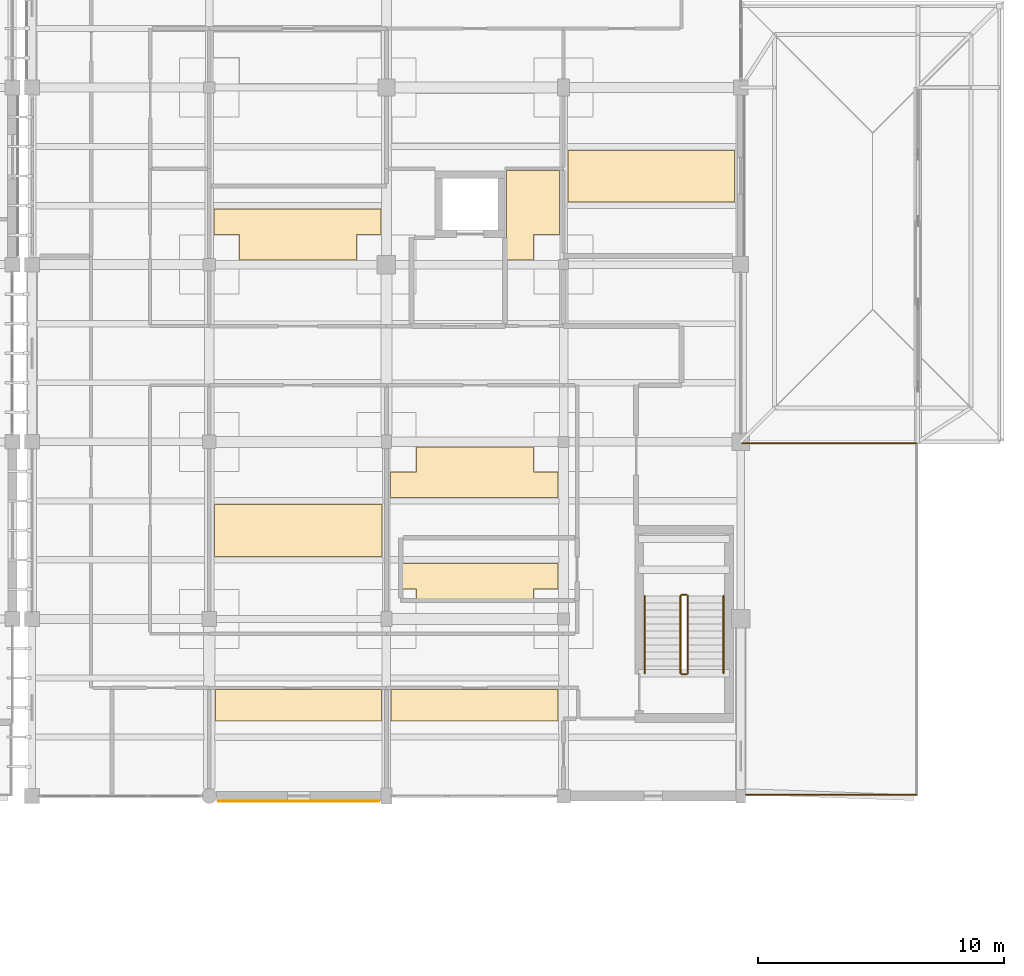
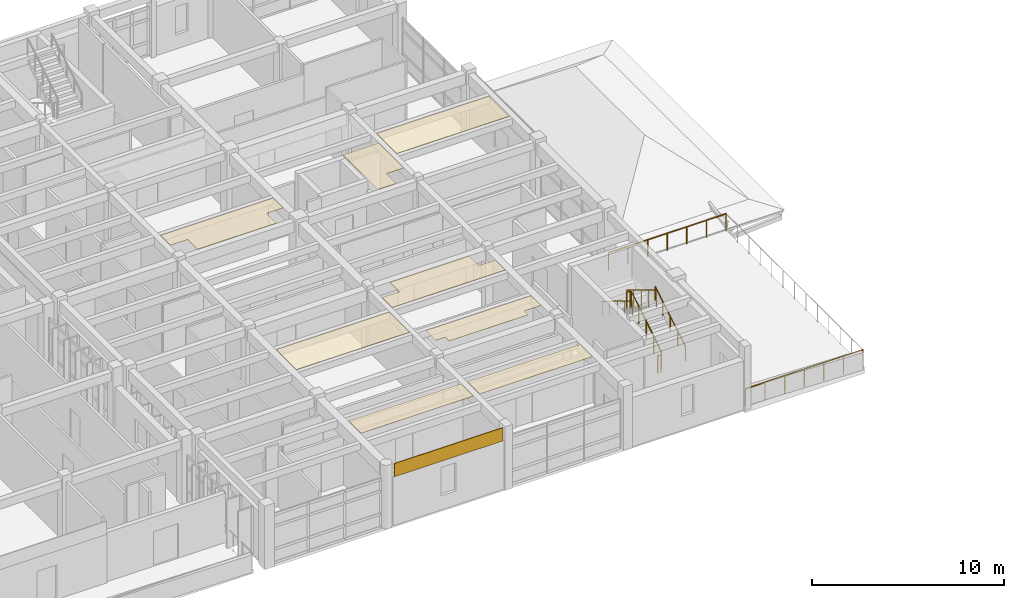
# One storey, part 50 of 55: 9 coverings, 8 railings.
"""IFC4 building model written with IfcOpenShell, lengths in metres."""

from ifc_helpers import new_model, si_unit, direction, frame, origin, origin_2d, place, context, subcontext, project, spatial, polyline, rectangle, circle, outline, extrude, material, layer, layer_set, type_object, element, save


model = new_model("IFC4")

# Units and contexts
model_context = context("Model", 3, precision=1e-05, world=origin(), true_north=direction((0.0, 1.0)))
body_context = subcontext(model_context, "Body", "Model", "MODEL_VIEW")
ifc_project = project(units=[si_unit("LENGTHUNIT", "METRE"), si_unit("AREAUNIT", "SQUARE_METRE"), si_unit("VOLUMEUNIT", "CUBIC_METRE"), si_unit("PLANEANGLEUNIT", "RADIAN"), si_unit("MASSUNIT", "GRAM", prefix="KILO")], contexts=[model_context])

# Site, building, storey
site_placement = place(None, origin())
site = spatial("IfcSite", under=ifc_project, at=site_placement, CompositionType="ELEMENT")
building_placement = place(site_placement, origin())
building = spatial("IfcBuilding", under=site, at=building_placement, Name="Steenspoor Specialist Clinic", CompositionType="ELEMENT")
storey_placement = place(building_placement, frame((0.0, 0.0, 13.199951171875)))
storey = spatial("IfcBuildingStorey", under=building, at=storey_placement, Name="L03", CompositionType="ELEMENT", Elevation=13.199951171875)

# Coverings
ifc_material_1 = material(Name="Washable acoustic mineral ceiling board", Category="gypsum")
ifc_layer_1 = layer(ifc_material_1, 0.02490234375)
ifc_layer_set_1 = layer_set([ifc_layer_1], Name="Washable acoustic mineral ceiling board")
covering_type_1 = type_object("IfcCoveringType", Name="COV-CEIL-ACOUSTIC", PredefinedType="CEILING", material=ifc_layer_set_1)
covering_1_placement = place(storey_placement, frame((0.0, 0.0, 3.925048828125)))
element("IfcCovering", 1, at=covering_1_placement, inside=storey, type_object=covering_type_1, Name="Acoustic Clinical Ceiling 178", PredefinedType="CEILING", context=body_context, shape_type="SweptSolid", body=[
    extrude(outline(polyline([(125.445068359375, 68.199951171875), (125.445068359375, 69.485107421875), (132.205078125, 69.485107421875), (132.205078125, 68.199951171875), (125.445068359375, 68.199951171875)])), origin(), (0.0, 0.0, 1.0), 0.02490234375),
])
covering_2_placement = place(storey_placement, frame((0.0, 0.0, 3.925048828125)))
element("IfcCovering", 2, at=covering_2_placement, inside=storey, type_object=covering_type_1, Name="Acoustic Clinical Ceiling 179", PredefinedType="CEILING", context=body_context, shape_type="SweptSolid", body=[
    extrude(outline(polyline([(132.594970703125, 68.199951171875), (132.594970703125, 69.485107421875), (139.3798828125, 69.485107421875), (139.3798828125, 68.199951171875), (132.594970703125, 68.199951171875)])), origin(), (0.0, 0.0, 1.0), 0.02490234375),
])
covering_3_placement = place(storey_placement, frame((0.0, 0.0, 3.925048828125)))
element("IfcCovering", 3, at=covering_3_placement, inside=storey, type_object=covering_type_1, Name="Acoustic Clinical Ceiling 180", PredefinedType="CEILING", context=body_context, shape_type="SweptSolid", body=[
    extrude(outline(polyline([(132.22998046875, 74.889892578125), (125.419921875, 74.889892578125), (125.419921875, 77.0), (132.22998046875, 77.0), (132.22998046875, 74.889892578125)])), origin(), (0.0, 0.0, 1.0), 0.02490234375),
])
covering_4_placement = place(storey_placement, frame((0.0, 0.0, 3.925048828125)))
element("IfcCovering", 4, at=covering_4_placement, inside=storey, type_object=covering_type_1, Name="Acoustic Clinical Ceiling 181", PredefinedType="CEILING", context=body_context, shape_type="SweptSolid", body=[
    extrude(outline(polyline([(133.6201171875, 73.1650390625), (133.6201171875, 73.570068359375), (133.044921875, 73.570068359375), (133.044921875, 74.60009765625), (139.3798828125, 74.60009765625), (139.3798828125, 73.570068359375), (138.3798828125, 73.570068359375), (138.3798828125, 73.1650390625), (133.6201171875, 73.1650390625)])), origin(), (0.0, 0.0, 1.0), 0.02490234375),
])
covering_5_placement = place(storey_placement, frame((0.0, 0.0, 3.925048828125)))
element("IfcCovering", 5, at=covering_5_placement, inside=storey, type_object=covering_type_1, Name="Acoustic Clinical Ceiling 182", PredefinedType="CEILING", context=body_context, shape_type="SweptSolid", body=[
    extrude(outline(polyline([(132.570068359375, 77.2900390625), (132.570068359375, 78.330078125), (133.6201171875, 78.330078125), (133.6201171875, 79.330078125), (138.3798828125, 79.330078125), (138.3798828125, 78.330078125), (139.3798828125, 78.330078125), (139.3798828125, 77.2900390625), (132.570068359375, 77.2900390625)])), origin(), (0.0, 0.0, 1.0), 0.02490234375),
])
covering_6_placement = place(storey_placement, frame((0.0, 0.0, 3.925048828125)))
element("IfcCovering", 6, at=covering_6_placement, inside=storey, type_object=covering_type_1, Name="Acoustic Clinical Ceiling 183", PredefinedType="CEILING", context=body_context, shape_type="SweptSolid", body=[
    extrude(outline(polyline([(125.39501953125, 87.969970703125), (125.39501953125, 89.010009765625), (132.179931640625, 89.010009765625), (132.179931640625, 87.969970703125), (131.179931640625, 87.969970703125), (131.179931640625, 86.945068359375), (126.419921875, 86.945068359375), (126.419921875, 87.969970703125), (125.39501953125, 87.969970703125)])), origin(), (0.0, 0.0, 1.0), 0.02490234375),
])
covering_7_placement = place(storey_placement, frame((0.0, 0.0, 3.925048828125)))
element("IfcCovering", 7, at=covering_7_placement, inside=storey, type_object=covering_type_1, Name="Acoustic Clinical Ceiling 184", PredefinedType="CEILING", context=body_context, shape_type="SweptSolid", body=[
    extrude(outline(polyline([(139.429931640625, 90.5849609375), (139.429931640625, 87.969970703125), (138.3798828125, 87.969970703125), (138.3798828125, 86.945068359375), (137.2900390625, 86.945068359375), (137.2900390625, 87.809814453125), (137.2900390625, 90.5849609375), (139.429931640625, 90.5849609375)])), origin(), (0.0, 0.0, 1.0), 0.02490234375),
])
covering_8_placement = place(storey_placement, frame((0.0, 0.0, 3.925048828125)))
element("IfcCovering", 8, at=covering_8_placement, inside=storey, type_object=covering_type_1, Name="Acoustic Clinical Ceiling 185", PredefinedType="CEILING", context=body_context, shape_type="SweptSolid", body=[
    extrude(outline(polyline([(146.5400390625, 89.2900390625), (139.77001953125, 89.2900390625), (139.77001953125, 91.39990234375), (146.5400390625, 91.39990234375), (146.5400390625, 89.2900390625)])), origin(), (0.0, 0.0, 1.0), 0.02490234375),
])
ifc_material_2 = material(Name="Glazed ceramic relief spandrel cladding", Category="masonry")
ifc_layer_2 = layer(ifc_material_2, 0.034912109375)
ifc_layer_set_2 = layer_set([ifc_layer_2], Name="Glazed ceramic relief spandrel cladding")
covering_type_2 = type_object("IfcCoveringType", Name="COV-CLAD-CERAMIC", PredefinedType="CLADDING", material=ifc_layer_set_2)
covering_9_placement = place(storey_placement, frame((128.83740234375, 64.949951171875, 3.115234375), z_axis=(0.0, 0.0, 1.0), x_axis=(-1.0, 0.0, 0.0)))
element("IfcCovering", 9, at=covering_9_placement, inside=storey, type_object=covering_type_2, Name="Spandrel Cladding 92", PredefinedType="CLADDING", context=body_context, shape_type="SweptSolid", body=[
    extrude(rectangle(XDim=6.554931640625, YDim=0.0400390625, at=origin_2d()), origin(), (0.0, 0.0, 1.0), 0.840087890625),
])

# Railings
ifc_material_3 = material(Name="Galvanised architectural steel exterior guard", Category="steel")
railing_type_1 = type_object("IfcRailingType", Name="RAIL-EGUARD-1100", PredefinedType="GUARDRAIL", material=ifc_material_3)
railing_1_placement = place(storey_placement, frame((146.860107421875, 65.2099609375, 0.0)))
element("IfcRailing", 10, at=railing_1_placement, inside=storey, type_object=railing_type_1, Name="Terrace Perimeter Guard 25", PredefinedType="GUARDRAIL", context=body_context, shape_type="SweptSolid", body=[
    extrude(circle(Radius=0.02392578125, at=origin_2d()), frame((0.0, 0.0, 1.09619140625), z_axis=(1.0, 0.0, 0.0), x_axis=(0.0, 1.0, 0.0)), (0.0, 0.0, 1.0), 7.079833984375),
    extrude(circle(Radius=0.02099609375, at=origin_2d()), origin(), (0.0, 0.0, 1.0), 1.072021484375),
    extrude(circle(Radius=0.02099609375, at=origin_2d()), frame((1.179931640625, 0.0, 0.0)), (0.0, 0.0, 1.0), 1.072021484375),
    extrude(circle(Radius=0.02099609375, at=origin_2d()), frame((2.35986328125, 0.0, 0.0)), (0.0, 0.0, 1.0), 1.072021484375),
    extrude(circle(Radius=0.02099609375, at=origin_2d()), frame((3.5400390625, 0.0, 0.0)), (0.0, 0.0, 1.0), 1.072021484375),
    extrude(circle(Radius=0.02099609375, at=origin_2d()), frame((4.719970703125, 0.0, 0.0)), (0.0, 0.0, 1.0), 1.072021484375),
    extrude(circle(Radius=0.02099609375, at=origin_2d()), frame((5.89990234375, 0.0, 0.0)), (0.0, 0.0, 1.0), 1.072021484375),
    extrude(circle(Radius=0.02099609375, at=origin_2d()), frame((7.079833984375, 0.0, 0.0)), (0.0, 0.0, 1.0), 1.072021484375),
])
railing_2_placement = place(storey_placement, frame((153.93994140625, 79.489990234375, 0.0)))
element("IfcRailing", 11, at=railing_2_placement, inside=storey, type_object=railing_type_1, Name="Terrace Perimeter Guard 27", PredefinedType="GUARDRAIL", context=body_context, shape_type="SweptSolid", body=[
    extrude(circle(Radius=0.02392578125, at=origin_2d()), frame((0.0, 0.0, 1.09619140625), z_axis=(-1.0, 0.0, 0.0), x_axis=(0.0, -1.0, 0.0)), (0.0, 0.0, 1.0), 7.079833984375),
    extrude(circle(Radius=0.02099609375, at=origin_2d()), origin(), (0.0, 0.0, 1.0), 1.072021484375),
    extrude(circle(Radius=0.02099609375, at=origin_2d()), frame((-1.179931640625, 0.0, 0.0)), (0.0, 0.0, 1.0), 1.072021484375),
    extrude(circle(Radius=0.02099609375, at=origin_2d()), frame((-2.35986328125, 0.0, 0.0)), (0.0, 0.0, 1.0), 1.072021484375),
    extrude(circle(Radius=0.02099609375, at=origin_2d()), frame((-3.5400390625, 0.0, 0.0)), (0.0, 0.0, 1.0), 1.072021484375),
    extrude(circle(Radius=0.02099609375, at=origin_2d()), frame((-4.719970703125, 0.0, 0.0)), (0.0, 0.0, 1.0), 1.072021484375),
    extrude(circle(Radius=0.02099609375, at=origin_2d()), frame((-5.89990234375, 0.0, 0.0)), (0.0, 0.0, 1.0), 1.072021484375),
    extrude(circle(Radius=0.02099609375, at=origin_2d()), frame((-7.079833984375, 0.0, 0.0)), (0.0, 0.0, 1.0), 1.072021484375),
])
ifc_material_4 = material(Name="Painted architectural steel balustrade", Category="steel")
railing_type_2 = type_object("IfcRailingType", Name="RAIL-GUARD-1100", PredefinedType="GUARDRAIL", material=ifc_material_4)
railing_3_placement = place(storey_placement, frame((144.64990234375, 70.14990234375, 0.175048828125)))
element("IfcRailing", 12, at=railing_3_placement, inside=storey, type_object=railing_type_2, Name="L03 ST-V6B stair guard 1", PredefinedType="GUARDRAIL", context=body_context, shape_type="SweptSolid", body=[
    extrude(circle(Radius=0.02392578125, at=origin_2d()), frame((0.0, 0.0, 1.076171875), z_axis=(0.0, 0.852166034122, 0.523271488128), x_axis=(-1.0, 0.0, 0.0)), (0.0, 0.0, 1.0), 3.678955078125),
    extrude(circle(Radius=0.02099609375, at=origin_2d()), origin(), (0.0, 0.0, 1.0), 1.052001953125),
    extrude(circle(Radius=0.02099609375, at=origin_2d()), frame((0.0, 0.78369140625, 0.481201171875)), (0.0, 0.0, 1.0), 1.052001953125),
    extrude(circle(Radius=0.02099609375, at=origin_2d()), frame((0.0, 1.5673828125, 0.96240234375)), (0.0, 0.0, 1.0), 1.052001953125),
    extrude(circle(Radius=0.02099609375, at=origin_2d()), frame((0.0, 2.351318359375, 1.44384765625)), (0.0, 0.0, 1.0), 1.052001953125),
    extrude(circle(Radius=0.02099609375, at=origin_2d()), frame((0.0, 3.135009765625, 1.925048828125)), (0.0, 0.0, 1.0), 1.052001953125),
])
railing_4_placement = place(storey_placement, frame((144.60009765625, 73.3349609375, 2.10009765625)))
element("IfcRailing", 13, at=railing_4_placement, inside=storey, type_object=railing_type_2, Name="L03 ST-V6B stair guard 2", PredefinedType="GUARDRAIL", context=body_context, shape_type="SweptSolid", body=[
    extrude(circle(Radius=0.02392578125, at=origin_2d()), frame((0.0, 0.0, 1.076171875), z_axis=(-1.0, 0.0, 0.0), x_axis=(0.0, -1.0, 0.0)), (0.0, 0.0, 1.0), 0.2001953125),
    extrude(circle(Radius=0.02099609375, at=origin_2d()), origin(), (0.0, 0.0, 1.0), 1.052001953125),
    extrude(circle(Radius=0.02099609375, at=origin_2d()), frame((-0.2001953125, 0.0, 0.0)), (0.0, 0.0, 1.0), 1.052001953125),
])
railing_5_placement = place(storey_placement, frame((144.35009765625, 73.284912109375, 2.275146484375)))
element("IfcRailing", 14, at=railing_5_placement, inside=storey, type_object=railing_type_2, Name="L03 ST-V6B stair guard 3", PredefinedType="GUARDRAIL", context=body_context, shape_type="SweptSolid", body=[
    extrude(circle(Radius=0.02392578125, at=origin_2d()), frame((0.0, 0.0, 1.076171875), z_axis=(0.0, -0.852195625947, 0.523223293744), x_axis=(1.0, 0.0, 0.0)), (0.0, 0.0, 1.0), 3.6787109375),
    extrude(circle(Radius=0.02099609375, at=origin_2d()), origin(), (0.0, 0.0, 1.0), 1.052001953125),
    extrude(circle(Radius=0.02099609375, at=origin_2d()), frame((0.0, -0.78369140625, 0.481201171875)), (0.0, 0.0, 1.0), 1.052001953125),
    extrude(circle(Radius=0.02099609375, at=origin_2d()), frame((0.0, -1.5673828125, 0.96240234375)), (0.0, 0.0, 1.0), 1.052001953125),
    extrude(circle(Radius=0.02099609375, at=origin_2d()), frame((0.0, -2.351318359375, 1.443603515625)), (0.0, 0.0, 1.0), 1.052001953125),
    extrude(circle(Radius=0.02099609375, at=origin_2d()), frame((0.0, -3.135009765625, 1.9248046875)), (0.0, 0.0, 1.0), 1.052001953125),
])
railing_6_placement = place(storey_placement, frame((144.60009765625, 70.10009765625, 0.0)))
element("IfcRailing", 15, at=railing_6_placement, inside=storey, type_object=railing_type_2, Name="L03 ST-V6B stair guard 4", PredefinedType="GUARDRAIL", context=body_context, shape_type="SweptSolid", body=[
    extrude(circle(Radius=0.02392578125, at=origin_2d()), frame((0.0, 0.0, 1.076171875), z_axis=(-1.0, 0.0, 0.0), x_axis=(0.0, -1.0, 0.0)), (0.0, 0.0, 1.0), 0.2001953125),
    extrude(circle(Radius=0.02099609375, at=origin_2d()), origin(), (0.0, 0.0, 1.0), 1.052001953125),
    extrude(circle(Radius=0.02099609375, at=origin_2d()), frame((-0.2001953125, 0.0, 0.0)), (0.0, 0.0, 1.0), 1.052001953125),
])
ifc_material_5 = material(Name="Brushed stainless steel clinical handrail", Category="steel")
railing_type_3 = type_object("IfcRailingType", Name="RAIL-HAND-900", PredefinedType="HANDRAIL", material=ifc_material_5)
railing_7_placement = place(storey_placement, frame((146.10009765625, 70.14990234375, 0.175048828125)))
element("IfcRailing", 16, at=railing_7_placement, inside=storey, type_object=railing_type_3, Name="L03 ST-V6B stair handrail 1", PredefinedType="HANDRAIL", context=body_context, shape_type="SweptSolid", body=[
    extrude(circle(Radius=0.02392578125, at=origin_2d()), frame((0.0, 0.0, 0.8759765625), z_axis=(0.0, 0.852166034122, 0.523271488128), x_axis=(-1.0, 0.0, 0.0)), (0.0, 0.0, 1.0), 3.678955078125),
    extrude(circle(Radius=0.02099609375, at=origin_2d()), origin(), (0.0, 0.0, 1.0), 0.851806640625),
    extrude(circle(Radius=0.02099609375, at=origin_2d()), frame((0.0, 0.78369140625, 0.481201171875)), (0.0, 0.0, 1.0), 0.851806640625),
    extrude(circle(Radius=0.02099609375, at=origin_2d()), frame((0.0, 1.5673828125, 0.96240234375)), (0.0, 0.0, 1.0), 0.851806640625),
    extrude(circle(Radius=0.02099609375, at=origin_2d()), frame((0.0, 2.351318359375, 1.44384765625)), (0.0, 0.0, 1.0), 0.851806640625),
    extrude(circle(Radius=0.02099609375, at=origin_2d()), frame((0.0, 3.135009765625, 1.925048828125)), (0.0, 0.0, 1.0), 0.851806640625),
])
railing_8_placement = place(storey_placement, frame((142.89990234375, 73.284912109375, 2.275146484375)))
element("IfcRailing", 17, at=railing_8_placement, inside=storey, type_object=railing_type_3, Name="L03 ST-V6B stair handrail 2", PredefinedType="HANDRAIL", context=body_context, shape_type="SweptSolid", body=[
    extrude(circle(Radius=0.02392578125, at=origin_2d()), frame((0.0, 0.0, 0.8759765625), z_axis=(0.0, -0.852195625947, 0.523223293744), x_axis=(1.0, 0.0, 0.0)), (0.0, 0.0, 1.0), 3.6787109375),
    extrude(circle(Radius=0.02099609375, at=origin_2d()), origin(), (0.0, 0.0, 1.0), 0.851806640625),
    extrude(circle(Radius=0.02099609375, at=origin_2d()), frame((0.0, -0.78369140625, 0.481201171875)), (0.0, 0.0, 1.0), 0.851806640625),
    extrude(circle(Radius=0.02099609375, at=origin_2d()), frame((0.0, -1.5673828125, 0.96240234375)), (0.0, 0.0, 1.0), 0.851806640625),
    extrude(circle(Radius=0.02099609375, at=origin_2d()), frame((0.0, -2.351318359375, 1.443603515625)), (0.0, 0.0, 1.0), 0.851806640625),
    extrude(circle(Radius=0.02099609375, at=origin_2d()), frame((0.0, -3.135009765625, 1.9248046875)), (0.0, 0.0, 1.0), 0.851806640625),
])

save(model, "model.ifc")
